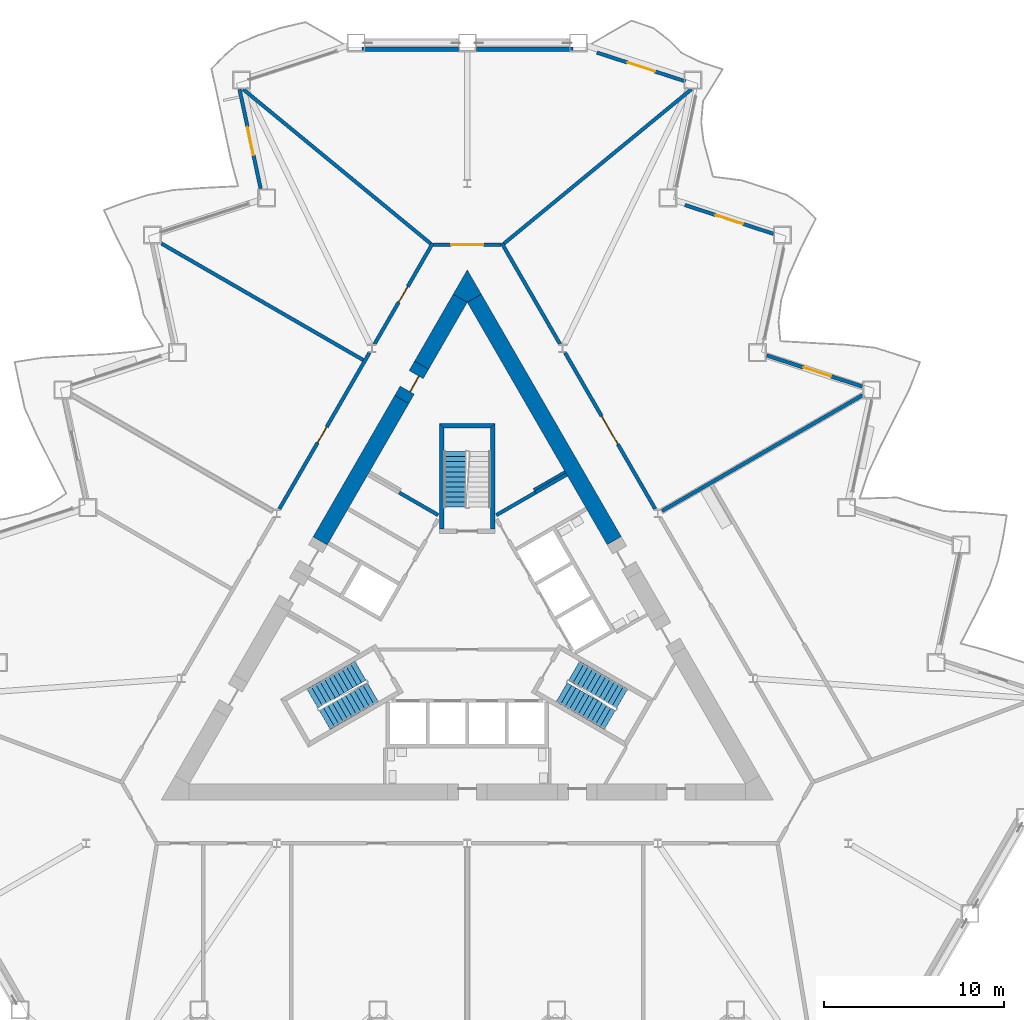
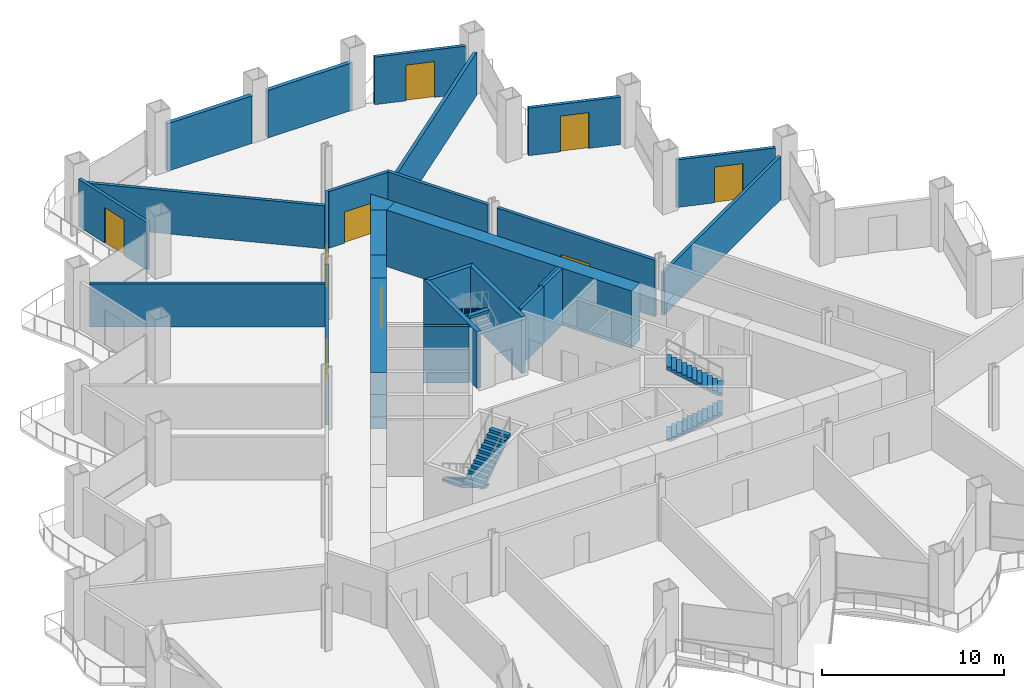
# One storey, part 12 of 20: 27 walls, 9 doors, 5 stair flights, 9 openings, 3 elements without a shape of their own.
"""IFC4 building model written with IfcOpenShell, lengths in metres."""

import ifcopenshell
import ifcopenshell.guid

model = None  # the IFC model being written
_history = None  # IfcOwnerHistory: only IFC2X3 demands one
_inside = {}  # id of a spatial element -> (the spatial element, [elements in it])
_under = {}  # id of a project, library or spatial element -> (it, [spatial elements below it])
_declared = {}  # id of a project -> (the project, [libraries it declares])
_typed = {}  # id of a type object -> (the type object, [elements of that type])
_made_of = {}  # id of a material, layer set ... -> (it, [elements and type objects made of it])


def new_model(schema):
    """Start an empty IFC model of exactly this schema.

    Asked for "IFC4X3", IfcOpenShell would pick the latest addendum, in which some entities
    have other attributes; the version numbers below select the first issue.
    IFC2X3 requires an IfcOwnerHistory on every rooted entity: one is made here for all.
    """
    global model, _history
    if schema == "IFC4X3":
        model = ifcopenshell.file(schema_version=(4, 3, 0, 0))
    else:
        model = ifcopenshell.file(schema=schema)
    _inside.clear()
    _under.clear()
    _declared.clear()
    _typed.clear()
    _made_of.clear()
    _history = None
    if model.schema == "IFC2X3":
        org = make("IfcOrganization", Name="unknown")
        user = make(
            "IfcPersonAndOrganization",
            ThePerson=make("IfcPerson", FamilyName="unknown"),
            TheOrganization=org,
        )
        app = make(
            "IfcApplication",
            ApplicationDeveloper=org,
            Version="unknown",
            ApplicationFullName="unknown",
            ApplicationIdentifier="unknown",
        )
        _history = make(
            "IfcOwnerHistory",
            OwningUser=user,
            OwningApplication=app,
            ChangeAction="ADDED",
            CreationDate=0,
        )
    return model


def make(cls, **values):
    """One entity of the class cls with the attributes given. An attribute that is None is left unset."""
    return model.create_entity(
        cls, **{name: value for name, value in values.items() if value is not None}
    )


def rooted(cls, **values):
    """An entity with a GlobalId (a new one), such as an element, a storey or a relation."""
    return make(cls, GlobalId=ifcopenshell.guid.new(), OwnerHistory=_history, **values)


def si_unit(unit_type, name, prefix=None):
    """IfcSIUnit, for example si_unit("LENGTHUNIT", "METRE", prefix="MILLI")."""
    return make("IfcSIUnit", UnitType=unit_type, Prefix=prefix, Name=name)


def assignment(units):
    """IfcUnitAssignment: the units of a project."""
    return None if units is None else make("IfcUnitAssignment", Units=units)


def point(xyz):
    """IfcCartesianPoint."""
    return None if xyz is None else make("IfcCartesianPoint", Coordinates=xyz)


def direction(xyz):
    """IfcDirection."""
    return None if xyz is None else make("IfcDirection", DirectionRatios=xyz)


def frame(location, z_axis=None, x_axis=None):
    """IfcAxis2Placement3D, a coordinate frame: its origin and axes. An axis left out is left unset."""
    return make(
        "IfcAxis2Placement3D",
        Location=point(location),
        Axis=direction(z_axis),
        RefDirection=direction(x_axis),
    )


def frame_2d(location, x_axis=None):
    """IfcAxis2Placement2D, a coordinate frame in the plane: its origin and x axis."""
    return make(
        "IfcAxis2Placement2D", Location=point(location), RefDirection=direction(x_axis)
    )


def origin():
    """The frame at (0, 0, 0) with its axes left unset."""
    return frame((0.0, 0.0, 0.0))


def place(relative_to, where):
    """IfcLocalPlacement: puts the frame where relative to a parent placement (None: the world)."""
    return make(
        "IfcLocalPlacement", PlacementRelTo=relative_to, RelativePlacement=where
    )


def context(
    kind, dimensions, precision=None, world=None, true_north=None, identifier=None
):
    """IfcGeometricRepresentationContext, for example the 3D "Model" context."""
    return make(
        "IfcGeometricRepresentationContext",
        ContextIdentifier=identifier,
        ContextType=kind,
        CoordinateSpaceDimension=dimensions,
        Precision=precision,
        WorldCoordinateSystem=world,
        TrueNorth=true_north,
    )


def subcontext(parent, identifier, kind, view, scale=None):
    """IfcGeometricRepresentationSubContext, for example "Body" below "Model"."""
    return make(
        "IfcGeometricRepresentationSubContext",
        ContextIdentifier=identifier,
        ContextType=kind,
        ParentContext=parent,
        TargetScale=scale,
        TargetView=view,
    )


def project(units=None, contexts=None):
    """IfcProject with its units and contexts."""
    return rooted(
        "IfcProject",
        Name="project",
        RepresentationContexts=contexts,
        UnitsInContext=assignment(units),
    )


def spatial(cls, under=None, at=None, **own):
    """A site, building, storey or space (cls), placed at a placement, below another one or the project."""
    s = rooted(cls, ObjectPlacement=at, **own)
    if under is not None:
        _under.setdefault(under.id(), (under, []))[1].append(s)
    return s


def polyline(points):
    """IfcPolyline through the points."""
    return make("IfcPolyline", Points=[point(p) for p in points])


def profile(cls, at=None, kind="AREA", **sizes):
    """A parametric profile (cls). Its sizes go by their IFC names, for example OverallWidth=200.0."""
    return make(cls, ProfileType=kind, Position=at, **sizes)


def rectangle(**sizes):
    """IfcRectangleProfileDef."""
    return profile("IfcRectangleProfileDef", **sizes)


def outline(outer, holes=None, kind="AREA"):
    """IfcArbitraryClosedProfileDef: a profile drawn as a closed curve; with holes, ...WithVoids."""
    if holes is None:
        return make("IfcArbitraryClosedProfileDef", ProfileType=kind, OuterCurve=outer)
    return make(
        "IfcArbitraryProfileDefWithVoids",
        ProfileType=kind,
        OuterCurve=outer,
        InnerCurves=holes,
    )


def extrude(swept, where, along, depth):
    """IfcExtrudedAreaSolid: the profile swept, set in the frame where, extruded along a direction by depth."""
    return make(
        "IfcExtrudedAreaSolid",
        SweptArea=swept,
        Position=where,
        ExtrudedDirection=direction(along),
        Depth=depth,
    )


def shape(context_of_items, identifier, shape_type, items):
    """IfcShapeRepresentation: the items that make up one representation, for example the "Body"."""
    return make(
        "IfcShapeRepresentation",
        ContextOfItems=context_of_items,
        RepresentationIdentifier=identifier,
        RepresentationType=shape_type,
        Items=items,
    )


def material(Name=None, Category=None):
    """IfcMaterial."""
    return make("IfcMaterial", Name=Name, Category=Category)


def layer(
    of_material, thickness, ventilated=None, Name=None, Category=None, Priority=None
):
    """IfcMaterialLayer: one layer of a wall or slab, of a material (None: an air gap)."""
    return make(
        "IfcMaterialLayer",
        Material=of_material,
        LayerThickness=thickness,
        IsVentilated=ventilated,
        Name=Name,
        Category=Category,
        Priority=Priority,
    )


def layer_set(layers, Name=None):
    """IfcMaterialLayerSet."""
    return make("IfcMaterialLayerSet", MaterialLayers=layers, LayerSetName=Name)


def made_of(thing, what):
    """Note that an element or type object is made of a material, layer set ...; save() writes the relation."""
    if what is not None:
        _made_of.setdefault(what.id(), (what, []))[1].append(thing)
    return thing


def type_object(cls, material=None, **own):
    """A type object (cls), such as IfcWallType, which elements share."""
    return made_of(rooted(cls, **own), material)


def element(
    cls,
    number,
    at=None,
    inside=None,
    cuts=None,
    type_object=None,
    material=None,
    context=None,
    identifier="Body",
    shape_type=None,
    held_by="IfcProductDefinitionShape",
    body=None,
    shapes=None,
    **own,
):
    """One element of the class cls, such as IfcWall. Its Tag is "e" and its number.

    at: its placement. inside: the storey or other place that contains it. cuts: it is an
    opening in that element (IfcRelVoidsElement). A single representation is given by context,
    identifier, shape_type and body (its items); several are given by shapes. held_by: the class
    of the entity that holds the representations. save() writes the other relations.
    """
    e = rooted(cls, Tag="e%d" % number, ObjectPlacement=at, **own)
    if body is not None:
        shapes = [shape(context, identifier, shape_type, body)]
    if shapes is not None:
        e.Representation = make(held_by, Representations=shapes)
    if inside is not None:
        _inside.setdefault(inside.id(), (inside, []))[1].append(e)
    if cuts is not None:
        rooted(
            "IfcRelVoidsElement", RelatingBuildingElement=cuts, RelatedOpeningElement=e
        )
    if type_object is not None:
        _typed.setdefault(type_object.id(), (type_object, []))[1].append(e)
    return made_of(e, material)


def fill(opening, filler):
    """IfcRelFillsElement: the door or window that sits in an opening."""
    return rooted(
        "IfcRelFillsElement",
        RelatingOpeningElement=opening,
        RelatedBuildingElement=filler,
    )


def aggregate(whole, parts):
    """IfcRelAggregates: a whole, such as a stair, and the parts it consists of."""
    return rooted("IfcRelAggregates", RelatingObject=whole, RelatedObjects=parts)


def save(model, path):
    """Write the relations noted so far, then the file.

    IfcRelAggregates (storeys below a building ...), IfcRelContainedInSpatialStructure (elements
    in a storey), IfcRelDefinesByType, IfcRelAssociatesMaterial and IfcRelDeclares: one each for
    every whole, place, type object, material and project.
    """
    for whole, parts in _under.values():
        aggregate(whole, parts)
    for where, things in _inside.values():
        rooted(
            "IfcRelContainedInSpatialStructure",
            RelatedElements=things,
            RelatingStructure=where,
        )
    for kind, things in _typed.values():
        rooted("IfcRelDefinesByType", RelatedObjects=things, RelatingType=kind)
    for what, things in _made_of.values():
        rooted("IfcRelAssociatesMaterial", RelatedObjects=things, RelatingMaterial=what)
    for by, libraries in _declared.values():
        rooted("IfcRelDeclares", RelatingContext=by, RelatedDefinitions=libraries)
    model.write(path)


model = new_model("IFC4")

# Units and contexts
model_context = context("Model", 3, precision=1e-05, world=origin(), true_north=direction((0.0, 1.0)))
body_context = subcontext(model_context, "Body", "Model", "MODEL_VIEW")
ifc_project = project(units=[si_unit("LENGTHUNIT", "METRE"), si_unit("AREAUNIT", "SQUARE_METRE"), si_unit("VOLUMEUNIT", "CUBIC_METRE"), si_unit("PLANEANGLEUNIT", "RADIAN"), si_unit("MASSUNIT", "GRAM", prefix="KILO")], contexts=[model_context])

# Site, building, storey
site_placement = place(None, origin())
site = spatial("IfcSite", under=ifc_project, at=site_placement, CompositionType="ELEMENT")
building_placement = place(site_placement, origin())
building = spatial("IfcBuilding", under=site, at=building_placement, Name="Cormorant Prow Tower", CompositionType="ELEMENT")
storey_placement = place(building_placement, frame((0.0, 0.0, 59.39990234375)))
storey = spatial("IfcBuildingStorey", under=building, at=storey_placement, Name="L12", CompositionType="ELEMENT", Elevation=59.39990234375)

# Walls
ifc_material_1 = material(Name="Gypsum board partition")
ifc_layer_1 = layer(ifc_material_1, 0.14990234375)
ifc_layer_set_1 = layer_set([ifc_layer_1], Name="Gypsum board partition")
wall_type_1 = type_object("IfcWallType", Name="Core partition 150", PredefinedType="PARTITIONING", material=ifc_layer_set_1)
wall_1_placement = place(storey_placement, frame((3.693359375, 7.4150390625, 0.0), z_axis=(0.0, 0.0, 1.0), x_axis=(0.866035824272, 0.499981950752, 0.0)))
element("IfcWall", 1, at=wall_1_placement, inside=storey, type_object=wall_type_1, Name="Service room partition", PredefinedType="PARTITIONING", context=body_context, shape_type="SweptSolid", body=[
    extrude(rectangle(XDim=2.0087890625, YDim=0.14990234375, at=frame_2d((1.00439453125, 0.0))), origin(), (0.0, 0.0, 1.0), 3.800048828125),
])
ifc_material_2 = material(Name="Concrete 8000 psi", Category="concrete")
ifc_layer_2 = layer(ifc_material_2, 0.89990234375)
ifc_layer_set_2 = layer_set([ifc_layer_2], Name="Concrete 8000 psi")
wall_type_2 = type_object("IfcWallType", Name="Core shear wall 900", PredefinedType="SHEAR", material=ifc_layer_set_2)
wall_2_placement = place(storey_placement, frame((8.160400390625, 4.595947265625, 0.0), z_axis=(0.0, 0.0, 1.0), x_axis=(-0.500009830349, 0.866019728156, 0.0)))
element("IfcWall", 2, at=wall_2_placement, inside=storey, type_object=wall_type_2, Name="Core wall", PredefinedType="SHEAR", context=body_context, shape_type="SweptSolid", body=[
    extrude(rectangle(XDim=15.541259765625, YDim=0.89990234375, at=frame_2d((7.7705078125, 0.0))), origin(), (0.0, 0.0, 1.0), 3.800048828125),
])
wall_3_placement = place(storey_placement, frame((-3.637451171875, 12.4296875, 0.0), z_axis=(0.0, 0.0, 1.0), x_axis=(-0.500011513458, -0.866018756384, 0.0)))
element("IfcWall", 3, at=wall_3_placement, inside=storey, type_object=wall_type_2, Name="Core wall", PredefinedType="SHEAR", context=body_context, shape_type="SweptSolid", body=[
    extrude(rectangle(XDim=9.065673828125, YDim=0.89990234375, at=frame_2d((4.53271484375, 0.0))), origin(), (0.0, 0.0, 1.0), 3.800048828125),
])
wall_4_placement = place(storey_placement, frame((-0.3896484375, 18.054931640625, 0.0), z_axis=(0.0, 0.0, 1.0), x_axis=(-0.500014347272, -0.866017120224, 0.0)))
element("IfcWall", 4, at=wall_4_placement, inside=storey, type_object=wall_type_2, Name="Core wall", PredefinedType="SHEAR", context=body_context, shape_type="SweptSolid", body=[
    extrude(rectangle(XDim=4.295654296875, YDim=0.89990234375, at=frame_2d((2.14794921875, 0.0))), origin(), (0.0, 0.0, 1.0), 3.800048828125),
])
wall_5_placement = place(storey_placement, origin())
element("IfcWall", 5, at=wall_5_placement, inside=storey, type_object=wall_type_2, Name="Core wall corner", PredefinedType="SHEAR", context=body_context, shape_type="SweptSolid", body=[
    extrude(outline(polyline([(-0.779296875, 18.27978515625), (0.0, 19.6298828125), (0.779296875, 18.27978515625), (0.0, 17.829833984375), (-0.779296875, 18.27978515625)])), origin(), (0.0, 0.0, 1.0), 3.800048828125),
])

# Wall, opening, door
wall_6_placement = place(storey_placement, frame((-2.53759765625, 14.334716796875, 0.0), z_axis=(0.0, 0.0, 1.0), x_axis=(-0.499994660107, -0.866028486751, 0.0)))
wall_6 = element("IfcWall", 6, at=wall_6_placement, inside=storey, type_object=wall_type_2, Name="Core wall door panel", PredefinedType="SHEAR", context=body_context, shape_type="SweptSolid", body=[
    extrude(rectangle(XDim=2.19970703125, YDim=0.89990234375, at=frame_2d((1.099853515625, 0.0))), origin(), (0.0, 0.0, 1.0), 3.800048828125),
])
opening_1_placement = place(wall_6_placement, frame((0.60009765625, 0.0, 0.0)))
opening_1 = element("IfcOpeningElement", 7, at=opening_1_placement, cuts=wall_6, Name="Opening L12-C20", PredefinedType="OPENING", context=body_context, shape_type="SweptSolid", body=[
    extrude(rectangle(XDim=1.0, YDim=2.10009765625, at=frame_2d((0.5, 1.050048828125))), frame((0.0, 0.4599609375, 0.0), z_axis=(0.0, -1.0, 0.0), x_axis=(1.0, 0.0, 0.0)), (0.0, 0.0, 1.0), 0.919921875),
])
ifc_material_3 = material(Name="Painted steel", Category="steel")
door_type_1 = type_object("IfcDoorType", Name="Service door 1000x2100", OperationType="NOTDEFINED", PredefinedType="DOOR", material=ifc_material_3)
door_1_placement = place(opening_1_placement, origin())
door_1 = element("IfcDoor", 8, at=door_1_placement, inside=storey, type_object=door_type_1, Name="Core door, Telecom room", OperationType="SINGLE_SWING_LEFT", OverallHeight=2.10009765625, OverallWidth=1.0, PredefinedType="DOOR", context=body_context, shape_type="SweptSolid", body=[
    extrude(rectangle(XDim=1.0, YDim=2.10009765625, at=frame_2d((0.5, 1.050048828125))), frame((0.0, 0.205078125, 0.0), z_axis=(0.0, -1.0, 0.0), x_axis=(1.0, 0.0, 0.0)), (0.0, 0.0, 1.0), 0.050048828125),
])
fill(opening_1, door_1)

ifc_material_4 = material(Name="Gypsum board corridor wall")
ifc_layer_3 = layer(ifc_material_4, 0.199951171875)
ifc_layer_set_3 = layer_set([ifc_layer_3], Name="Gypsum board corridor wall")
wall_type_3 = type_object("IfcWallType", Name="Corridor wall 200", PredefinedType="PARTITIONING", material=ifc_layer_set_3)
wall_7_placement = place(storey_placement, frame((5.42919921875, 15.0263671875, 0.0), z_axis=(0.0, 0.0, 1.0), x_axis=(0.50001002959, -0.86601961312, 0.0)))
wall_7 = element("IfcWall", 9, at=wall_7_placement, inside=storey, type_object=wall_type_3, Name="Corridor wall", PredefinedType="PARTITIONING", context=body_context, shape_type="SweptSolid", body=[
    extrude(rectangle(XDim=10.018798828125, YDim=0.199951171875, at=frame_2d((5.00927734375, 0.0))), origin(), (0.0, 0.0, 1.0), 3.800048828125),
])
opening_2_placement = place(wall_7_placement, frame((4.059326171875, 0.0, 0.0)))
opening_2 = element("IfcOpeningElement", 10, at=opening_2_placement, cuts=wall_7, Name="Opening L12-F09", PredefinedType="OPENING", context=body_context, shape_type="SweptSolid", body=[
    extrude(rectangle(XDim=1.800048828125, YDim=2.10009765625, at=frame_2d((0.89990234375, 1.050048828125))), frame((0.0, 0.10986328125, 0.0), z_axis=(0.0, -1.0, 0.0), x_axis=(1.0, 0.0, 0.0)), (0.0, 0.0, 1.0), 0.219970703125),
])
ifc_material_5 = material(Name="Timber door leaf", Category="wood")
door_type_2 = type_object("IfcDoorType", Name="Double door 1800x2100", OperationType="DOUBLE_DOOR_SINGLE_SWING", PredefinedType="DOOR", material=ifc_material_5)
door_2_placement = place(opening_2_placement, origin())
door_2 = element("IfcDoor", 11, at=door_2_placement, inside=storey, type_object=door_type_2, Name="Trading room door", OperationType="DOUBLE_DOOR_SINGLE_SWING", OverallHeight=2.10009765625, OverallWidth=1.800048828125, PredefinedType="DOOR", context=body_context, shape_type="SweptSolid", body=[
    extrude(rectangle(XDim=1.800048828125, YDim=2.10009765625, at=frame_2d((0.89990234375, 1.050048828125))), frame((0.0, 0.02490234375, 0.0), z_axis=(0.0, -1.0, 0.0), x_axis=(1.0, 0.0, 0.0)), (0.0, 0.0, 1.0), 0.050048828125),
])
fill(opening_2, door_2)

wall_8_placement = place(storey_placement, frame((-10.438720703125, 6.349853515625, 0.0), z_axis=(0.0, 0.0, 1.0), x_axis=(0.50001002959, 0.86601961312, 0.0)))
wall_8 = element("IfcWall", 12, at=wall_8_placement, inside=storey, type_object=wall_type_3, Name="Corridor wall", PredefinedType="PARTITIONING", context=body_context, shape_type="SweptSolid", body=[
    extrude(rectangle(XDim=10.018798828125, YDim=0.199951171875, at=frame_2d((5.00927734375, 0.0))), origin(), (0.0, 0.0, 1.0), 3.800048828125),
])
opening_3_placement = place(wall_8_placement, frame((4.2587890625, 0.0, 0.0)))
opening_3 = element("IfcOpeningElement", 13, at=opening_3_placement, cuts=wall_8, Name="Opening L12-F12", PredefinedType="OPENING", context=body_context, shape_type="SweptSolid", body=[
    extrude(rectangle(XDim=1.0, YDim=2.10009765625, at=frame_2d((0.5, 1.050048828125))), frame((0.0, 0.10986328125, 0.0), z_axis=(0.0, -1.0, 0.0), x_axis=(1.0, 0.0, 0.0)), (0.0, 0.0, 1.0), 0.219970703125),
])
ifc_material_6 = material(Name="Timber door leaf", Category="wood")
door_type_3 = type_object("IfcDoorType", Name="Office door 1000x2100", OperationType="NOTDEFINED", PredefinedType="DOOR", material=ifc_material_6)
door_3_placement = place(opening_3_placement, origin())
door_3 = element("IfcDoor", 14, at=door_3_placement, inside=storey, type_object=door_type_3, Name="Co-working room door", OperationType="SINGLE_SWING_LEFT", OverallHeight=2.10009765625, OverallWidth=1.0, PredefinedType="DOOR", context=body_context, shape_type="SweptSolid", body=[
    extrude(rectangle(XDim=1.0, YDim=2.10009765625, at=frame_2d((0.5, 1.050048828125))), frame((0.0, 0.02490234375, 0.0), z_axis=(0.0, -1.0, 0.0), x_axis=(1.0, 0.0, 0.0)), (0.0, 0.0, 1.0), 0.050048828125),
])
fill(opening_3, door_3)

# Wall
wall_9_placement = place(storey_placement, frame((1.9130859375, 21.116455078125, 0.0), z_axis=(0.0, 0.0, 1.0), x_axis=(0.500001069878, -0.866024786089, 0.0)))
element("IfcWall", 15, at=wall_9_placement, inside=storey, type_object=wall_type_3, Name="Corridor wall", PredefinedType="PARTITIONING", context=body_context, shape_type="SweptSolid", body=[
    extrude(rectangle(XDim=6.47265625, YDim=0.199951171875, at=frame_2d((3.236328125, 0.0))), origin(), (0.0, 0.0, 1.0), 3.800048828125),
])

# Wall, opening, door
wall_10_placement = place(storey_placement, frame((-5.1494140625, 15.510986328125, 0.0), z_axis=(0.0, 0.0, 1.0), x_axis=(0.500001069878, 0.866024786089, 0.0)))
wall_10 = element("IfcWall", 16, at=wall_10_placement, inside=storey, type_object=wall_type_3, Name="Corridor wall", PredefinedType="PARTITIONING", context=body_context, shape_type="SweptSolid", body=[
    extrude(rectangle(XDim=6.47265625, YDim=0.199951171875, at=frame_2d((3.236328125, 0.0))), origin(), (0.0, 0.0, 1.0), 3.800048828125),
])
opening_4_placement = place(wall_10_placement, frame((2.685546875, 0.0, 0.0)))
opening_4 = element("IfcOpeningElement", 17, at=opening_4_placement, cuts=wall_10, Name="Opening L12-F11", PredefinedType="OPENING", context=body_context, shape_type="SweptSolid", body=[
    extrude(rectangle(XDim=1.0, YDim=2.10009765625, at=frame_2d((0.5, 1.050048828125))), frame((0.0, 0.10986328125, 0.0), z_axis=(0.0, -1.0, 0.0), x_axis=(1.0, 0.0, 0.0)), (0.0, 0.0, 1.0), 0.219970703125),
])
door_4_placement = place(opening_4_placement, origin())
door_4 = element("IfcDoor", 18, at=door_4_placement, inside=storey, type_object=door_type_3, Name="Tenant suite door", OperationType="SINGLE_SWING_LEFT", OverallHeight=2.10009765625, OverallWidth=1.0, PredefinedType="DOOR", context=body_context, shape_type="SweptSolid", body=[
    extrude(rectangle(XDim=1.0, YDim=2.10009765625, at=frame_2d((0.5, 1.050048828125))), frame((0.0, 0.02490234375, 0.0), z_axis=(0.0, -1.0, 0.0), x_axis=(1.0, 0.0, 0.0)), (0.0, 0.0, 1.0), 0.050048828125),
])
fill(opening_4, door_4)

wall_11_placement = place(storey_placement, frame((-1.863037109375, 21.02978515625, 0.0), z_axis=(0.0, 0.0, 1.0), x_axis=(1.0, 0.0, 0.0)))
wall_11 = element("IfcWall", 19, at=wall_11_placement, inside=storey, type_object=wall_type_3, Name="Corridor wall", PredefinedType="PARTITIONING", context=body_context, shape_type="SweptSolid", body=[
    extrude(rectangle(XDim=3.72607421875, YDim=0.199951171875, at=frame_2d((1.863037109375, 0.0))), origin(), (0.0, 0.0, 1.0), 3.800048828125),
])
opening_5_placement = place(wall_11_placement, frame((0.962890625, 0.0, 0.0)))
opening_5 = element("IfcOpeningElement", 20, at=opening_5_placement, cuts=wall_11, Name="Opening L12-F10", PredefinedType="OPENING", context=body_context, shape_type="SweptSolid", body=[
    extrude(rectangle(XDim=1.800048828125, YDim=2.10009765625, at=frame_2d((0.89990234375, 1.050048828125))), frame((0.0, 0.10986328125, 0.0), z_axis=(0.0, -1.0, 0.0), x_axis=(1.0, 0.0, 0.0)), (0.0, 0.0, 1.0), 0.219970703125),
])
door_5_placement = place(opening_5_placement, origin())
door_5 = element("IfcDoor", 21, at=door_5_placement, inside=storey, type_object=door_type_2, Name="Open-plan office door", OperationType="DOUBLE_DOOR_SINGLE_SWING", OverallHeight=2.10009765625, OverallWidth=1.800048828125, PredefinedType="DOOR", context=body_context, shape_type="SweptSolid", body=[
    extrude(rectangle(XDim=1.800048828125, YDim=2.10009765625, at=frame_2d((0.89990234375, 1.050048828125))), frame((0.0, 0.02490234375, 0.0), z_axis=(0.0, -1.0, 0.0), x_axis=(1.0, 0.0, 0.0)), (0.0, 0.0, 1.0), 0.050048828125),
])
fill(opening_5, door_5)

# Walls
ifc_material_7 = material(Name="Gypsum board demising wall")
ifc_layer_4 = layer(ifc_material_7, 0.199951171875)
ifc_layer_set_4 = layer_set([ifc_layer_4], Name="Gypsum board demising wall")
wall_type_4 = type_object("IfcWallType", Name="Demising wall 200", PredefinedType="PARTITIONING", material=ifc_layer_set_4)
for number, where, z_axis, x_axis, name in (
    (22, (2.040283203125, 21.093505859375, 0.0), (0.0, 0.0, 1.0), (0.772048928551, 0.635563098302, 0.0), "Demising wall"),
    (23, (-12.44482421875, 29.65869140625, 0.0), (0.0, 0.0, 1.0), (0.772048928551, -0.635563098302, 0.0), "Demising wall"),
):
    element("IfcWall", number, at=place(storey_placement, frame(where, z_axis=z_axis, x_axis=x_axis)), inside=storey, type_object=wall_type_4, Name=name, PredefinedType="PARTITIONING", context=body_context, shape_type="SweptSolid", body=[
        extrude(rectangle(XDim=13.4765625, YDim=0.199951171875, at=frame_2d((6.73828125, 0.0))), origin(), (0.0, 0.0, 1.0), 2.885498046875),
    ])
wall_12_placement = place(storey_placement, frame((-16.981201171875, 21.091796875, 0.0), z_axis=(0.0, 0.0, 1.0), x_axis=(0.866026884493, -0.499997435328, 0.0)))
element("IfcWall", 24, at=wall_12_placement, inside=storey, type_object=wall_type_4, Name="Demising wall", PredefinedType="PARTITIONING", context=body_context, shape_type="SweptSolid", body=[
    extrude(rectangle(XDim=12.93701171875, YDim=0.199951171875, at=frame_2d((6.468505859375, 0.0))), origin(), (0.0, 0.0, 1.0), 2.885498046875),
])
wall_13_placement = place(storey_placement, frame((10.82080078125, 6.247314453125, 0.0), z_axis=(0.0, 0.0, 1.0), x_axis=(0.866026729935, 0.499997703033, 0.0)))
element("IfcWall", 25, at=wall_13_placement, inside=storey, type_object=wall_type_4, Name="Demising wall", PredefinedType="PARTITIONING", context=body_context, shape_type="SweptSolid", body=[
    extrude(rectangle(XDim=12.84765625, YDim=0.199951171875, at=frame_2d((6.423828125, 0.0))), origin(), (0.0, 0.0, 1.0), 2.885498046875),
])
ifc_material_8 = material(Name="Concrete 8000 psi", Category="concrete")
ifc_layer_5 = layer(ifc_material_8, 0.199951171875)
ifc_layer_set_5 = layer_set([ifc_layer_5], Name="Concrete 8000 psi")
wall_type_5 = type_object("IfcWallType", Name="Lift shaft wall 200", PredefinedType="SHEAR", material=ifc_layer_set_5)
wall_14_placement = place(storey_placement, origin())
element("IfcWall", 26, at=wall_14_placement, inside=storey, type_object=wall_type_5, Name="Lift shaft walls, ENE block", PredefinedType="SHEAR", context=body_context, shape_type="SweptSolid", body=[
    extrude(outline(polyline([(1.560546875, 6.09716796875), (3.730712890625, 7.35009765625), (3.830810546875, 7.177001953125), (1.660400390625, 5.923828125), (1.560546875, 6.09716796875)])), origin(), (0.0, 0.0, 1.0), 3.800048828125),
])
wall_15_placement = place(storey_placement, frame((3.78076171875, 7.263427734375, 0.0), z_axis=(0.0, 0.0, 1.0), x_axis=(0.865983199114, 0.50007309351, 0.0)))
element("IfcWall", 27, at=wall_15_placement, inside=storey, type_object=wall_type_5, Name="Store side wall", PredefinedType="SHEAR", context=body_context, shape_type="SweptSolid", body=[
    extrude(rectangle(XDim=2.009033203125, YDim=0.199951171875, at=frame_2d((1.00439453125, 0.0))), origin(), (0.0, 0.0, 1.0), 3.800048828125),
])
wall_16_placement = place(storey_placement, origin())
element("IfcWall", 28, at=wall_16_placement, inside=storey, type_object=wall_type_5, Name="Lift shaft walls, WNW block", PredefinedType="SHEAR", context=body_context, shape_type="SweptSolid", body=[
    extrude(outline(polyline([(-3.730712890625, 7.35009765625), (-1.560546875, 6.09716796875), (-1.660400390625, 5.923828125), (-3.830810546875, 7.177001953125), (-3.730712890625, 7.35009765625)])), origin(), (0.0, 0.0, 1.0), 3.800048828125),
])
ifc_material_9 = material(Name="Concrete 8000 psi", Category="concrete")
ifc_layer_6 = layer(ifc_material_9, 0.25)
ifc_layer_set_6 = layer_set([ifc_layer_6], Name="Concrete 8000 psi")
wall_type_6 = type_object("IfcWallType", Name="Stair wall 250", PredefinedType="SHEAR", material=ifc_layer_set_6)
wall_17_placement = place(storey_placement, origin())
element("IfcWall", 29, at=wall_17_placement, inside=storey, type_object=wall_type_6, Name="Stair ST3 enclosure wall (flank)", PredefinedType="SHEAR", context=body_context, shape_type="SweptSolid", body=[
    extrude(outline(polyline([(1.5439453125, 5.23681640625), (1.5439453125, 11.0869140625), (1.2939453125, 10.8369140625), (1.2939453125, 5.23681640625), (1.5439453125, 5.23681640625)])), origin(), (0.0, 0.0, 1.0), 3.800048828125),
])
wall_18_placement = place(storey_placement, origin())
element("IfcWall", 30, at=wall_18_placement, inside=storey, type_object=wall_type_6, Name="Stair ST3 enclosure wall (end)", PredefinedType="SHEAR", context=body_context, shape_type="SweptSolid", body=[
    extrude(outline(polyline([(1.5439453125, 11.0869140625), (-1.5439453125, 11.0869140625), (-1.2939453125, 10.8369140625), (1.2939453125, 10.8369140625), (1.5439453125, 11.0869140625)])), origin(), (0.0, 0.0, 1.0), 3.800048828125),
])
wall_19_placement = place(storey_placement, origin())
element("IfcWall", 31, at=wall_19_placement, inside=storey, type_object=wall_type_6, Name="Stair ST3 enclosure wall (flank)", PredefinedType="SHEAR", context=body_context, shape_type="SweptSolid", body=[
    extrude(outline(polyline([(-1.2939453125, 10.8369140625), (-1.5439453125, 11.0869140625), (-1.5439453125, 5.23681640625), (-1.2939453125, 5.23681640625), (-1.2939453125, 10.8369140625)])), origin(), (0.0, 0.0, 1.0), 3.800048828125),
])
ifc_material_10 = material(Name="Terracotta", Category="masonry")
ifc_layer_7 = layer(ifc_material_10, 0.25)
ifc_layer_set_7 = layer_set([ifc_layer_7], Name="Terracotta")
wall_type_7 = type_object("IfcWallType", Name="Terracotta bay wall 250", PredefinedType="SOLIDWALL", material=ifc_layer_set_7)
for number, where, z_axis, x_axis, name in (
    (32, (5.858154296875, 31.882568359375, 0.0), (0.0, 0.0, 1.0), (-1.0, 0.0, 0.0), "Terracotta bay wall N00"),
    (33, (-0.5, 31.882568359375, 0.0), (0.0, 0.0, 1.0), (-1.0, 0.0, 0.0), "Terracotta bay wall N01"),
):
    element("IfcWall", number, at=place(storey_placement, frame(where, z_axis=z_axis, x_axis=x_axis)), inside=storey, type_object=wall_type_7, Name=name, PredefinedType="SOLIDWALL", context=body_context, shape_type="SweptSolid", body=[
        extrude(rectangle(XDim=5.358154296875, YDim=0.25, at=frame_2d((2.67919921875, 0.0))), origin(), (0.0, 0.0, 1.0), 3.18896484375),
    ])

# Wall, opening, door
ifc_material_11 = material(Name="Terracotta", Category="masonry")
ifc_layer_8 = layer(ifc_material_11, 0.199951171875)
ifc_layer_set_8 = layer_set([ifc_layer_8], Name="Terracotta")
wall_type_8 = type_object("IfcWallType", Name="Terracotta jamb wall 200", PredefinedType="SOLIDWALL", material=ifc_layer_set_8)
wall_20_placement = place(storey_placement, frame((21.9326171875, 13.152587890625, 0.0), z_axis=(0.0, 0.0, 1.0), x_axis=(-0.951066864375, 0.308985144444, 0.0)))
wall_20 = element("IfcWall", 34, at=wall_20_placement, inside=storey, type_object=wall_type_8, Name="Terracotta jamb wall ENE05", PredefinedType="SOLIDWALL", context=body_context, shape_type="SweptSolid", body=[
    extrude(rectangle(XDim=5.5791015625, YDim=0.199951171875, at=frame_2d((2.78955078125, 0.0))), origin(), (0.0, 0.0, 1.0), 3.18896484375),
])
opening_6_placement = place(wall_20_placement, frame((1.82763671875, 0.0, 0.0)))
opening_6 = element("IfcOpeningElement", 35, at=opening_6_placement, cuts=wall_20, Name="Opening ED12.08", PredefinedType="OPENING", context=body_context, shape_type="SweptSolid", body=[
    extrude(rectangle(XDim=1.60009765625, YDim=2.39990234375, at=frame_2d((0.800048828125, 1.199951171875))), frame((0.0, 0.10986328125, 0.0), z_axis=(0.0, -1.0, 0.0), x_axis=(1.0, 0.0, 0.0)), (0.0, 0.0, 1.0), 0.219970703125),
])
ifc_material_12 = material(Name="Aluminium 6063-T6", Category="aluminium")
door_type_4 = type_object("IfcDoorType", Name="Balcony door 1600x2400", OperationType="DOUBLE_DOOR_SINGLE_SWING", PredefinedType="DOOR", material=ifc_material_12)
door_6_placement = place(opening_6_placement, origin())
door_6 = element("IfcDoor", 36, at=door_6_placement, inside=storey, type_object=door_type_4, Name="Balcony door ENE05 ED12.08", OperationType="DOUBLE_DOOR_SINGLE_SWING", OverallHeight=2.39990234375, OverallWidth=1.60009765625, PredefinedType="DOOR", context=body_context, shape_type="SweptSolid", body=[
    extrude(rectangle(XDim=1.60009765625, YDim=2.39990234375, at=frame_2d((0.800048828125, 1.199951171875))), frame((0.0, 0.02490234375, 0.0), z_axis=(0.0, -1.0, 0.0), x_axis=(1.0, 0.0, 0.0)), (0.0, 0.0, 1.0), 0.050048828125),
])
fill(opening_6, door_6)

wall_21_placement = place(storey_placement, frame((17.004638671875, 21.63134765625, 0.0), z_axis=(0.0, 0.0, 1.0), x_axis=(-0.951045170621, 0.309051910588, 0.0)))
wall_21 = element("IfcWall", 37, at=wall_21_placement, inside=storey, type_object=wall_type_8, Name="Terracotta jamb wall ENE07", PredefinedType="SOLIDWALL", context=body_context, shape_type="SweptSolid", body=[
    extrude(rectangle(XDim=5.171142578125, YDim=0.199951171875, at=frame_2d((2.58544921875, 0.0))), origin(), (0.0, 0.0, 1.0), 3.18896484375),
])
opening_7_placement = place(wall_21_placement, frame((1.78564453125, 0.0, 0.0)))
opening_7 = element("IfcOpeningElement", 38, at=opening_7_placement, cuts=wall_21, Name="Opening ED12.09", PredefinedType="OPENING", context=body_context, shape_type="SweptSolid", body=[
    extrude(rectangle(XDim=1.60009765625, YDim=2.39990234375, at=frame_2d((0.800048828125, 1.199951171875))), frame((0.0, 0.10986328125, 0.0), z_axis=(0.0, -1.0, 0.0), x_axis=(1.0, 0.0, 0.0)), (0.0, 0.0, 1.0), 0.219970703125),
])
door_7_placement = place(opening_7_placement, origin())
door_7 = element("IfcDoor", 39, at=door_7_placement, inside=storey, type_object=door_type_4, Name="Balcony door ENE07 ED12.09", OperationType="DOUBLE_DOOR_SINGLE_SWING", OverallHeight=2.39990234375, OverallWidth=1.60009765625, PredefinedType="DOOR", context=body_context, shape_type="SweptSolid", body=[
    extrude(rectangle(XDim=1.60009765625, YDim=2.39990234375, at=frame_2d((0.800048828125, 1.199951171875))), frame((0.0, 0.02490234375, 0.0), z_axis=(0.0, -1.0, 0.0), x_axis=(1.0, 0.0, 0.0)), (0.0, 0.0, 1.0), 0.050048828125),
])
fill(opening_7, door_7)

wall_22_placement = place(storey_placement, frame((12.116943359375, 30.097412109375, 0.0), z_axis=(0.0, 0.0, 1.0), x_axis=(-0.951063554534, 0.308995332064, 0.0)))
wall_22 = element("IfcWall", 40, at=wall_22_placement, inside=storey, type_object=wall_type_8, Name="Terracotta jamb wall ENE09", PredefinedType="SOLIDWALL", context=body_context, shape_type="SweptSolid", body=[
    extrude(rectangle(XDim=5.17138671875, YDim=0.199951171875, at=frame_2d((2.585693359375, 0.0))), origin(), (0.0, 0.0, 1.0), 3.18896484375),
])
opening_8_placement = place(wall_22_placement, frame((1.78564453125, 0.0, 0.0)))
opening_8 = element("IfcOpeningElement", 41, at=opening_8_placement, cuts=wall_22, Name="Opening ED12.10", PredefinedType="OPENING", context=body_context, shape_type="SweptSolid", body=[
    extrude(rectangle(XDim=1.60009765625, YDim=2.39990234375, at=frame_2d((0.800048828125, 1.199951171875))), frame((0.0, 0.10986328125, 0.0), z_axis=(0.0, -1.0, 0.0), x_axis=(1.0, 0.0, 0.0)), (0.0, 0.0, 1.0), 0.219970703125),
])
door_8_placement = place(opening_8_placement, origin())
door_8 = element("IfcDoor", 42, at=door_8_placement, inside=storey, type_object=door_type_4, Name="Balcony door ENE09 ED12.10", OperationType="DOUBLE_DOOR_SINGLE_SWING", OverallHeight=2.39990234375, OverallWidth=1.60009765625, PredefinedType="DOOR", context=body_context, shape_type="SweptSolid", body=[
    extrude(rectangle(XDim=1.60009765625, YDim=2.39990234375, at=frame_2d((0.800048828125, 1.199951171875))), frame((0.0, 0.02490234375, 0.0), z_axis=(0.0, -1.0, 0.0), x_axis=(1.0, 0.0, 0.0)), (0.0, 0.0, 1.0), 0.050048828125),
])
fill(opening_8, door_8)

wall_23_placement = place(storey_placement, frame((-12.6455078125, 29.652099609375, 0.0), z_axis=(0.0, 0.0, 1.0), x_axis=(0.207901831982, -0.978149696242, 0.0)))
wall_23 = element("IfcWall", 43, at=wall_23_placement, inside=storey, type_object=wall_type_8, Name="Terracotta jamb wall WNW01", PredefinedType="SOLIDWALL", context=body_context, shape_type="SweptSolid", body=[
    extrude(rectangle(XDim=5.626220703125, YDim=0.199951171875, at=frame_2d((2.81298828125, 0.0))), origin(), (0.0, 0.0, 1.0), 3.18896484375),
])
opening_9_placement = place(wall_23_placement, frame((2.136962890625, 0.0, 0.0)))
opening_9 = element("IfcOpeningElement", 44, at=opening_9_placement, cuts=wall_23, Name="Opening ED12.11", PredefinedType="OPENING", context=body_context, shape_type="SweptSolid", body=[
    extrude(rectangle(XDim=1.60009765625, YDim=2.39990234375, at=frame_2d((0.800048828125, 1.199951171875))), frame((0.0, 0.10986328125, 0.0), z_axis=(0.0, -1.0, 0.0), x_axis=(1.0, 0.0, 0.0)), (0.0, 0.0, 1.0), 0.219970703125),
])
door_9_placement = place(opening_9_placement, origin())
door_9 = element("IfcDoor", 45, at=door_9_placement, inside=storey, type_object=door_type_4, Name="Balcony door WNW01 ED12.11", OperationType="DOUBLE_DOOR_SINGLE_SWING", OverallHeight=2.39990234375, OverallWidth=1.60009765625, PredefinedType="DOOR", context=body_context, shape_type="SweptSolid", body=[
    extrude(rectangle(XDim=1.60009765625, YDim=2.39990234375, at=frame_2d((0.800048828125, 1.199951171875))), frame((0.0, 0.02490234375, 0.0), z_axis=(0.0, -1.0, 0.0), x_axis=(1.0, 0.0, 0.0)), (0.0, 0.0, 1.0), 0.050048828125),
])
fill(opening_9, door_9)

# Stair, stair flights
ifc_material_13 = material(Name="Exit stair 24 risers")
stair_type = type_object("IfcStairType", Name="Exit stair 24 risers", PredefinedType="HALF_TURN_STAIR", material=ifc_material_13)
stair_1_placement = place(storey_placement, origin())
stair_1 = element("IfcStair", 46, at=stair_1_placement, inside=storey, type_object=stair_type, Name="L12 Exit stair ST1", PredefinedType="HALF_TURN_STAIR")
ifc_material_14 = material(Name="Concrete 5000 psi", Category="concrete")
stair_flight_type = type_object("IfcStairFlightType", Name="Stair flight 1219", PredefinedType="STRAIGHT", material=ifc_material_14)
stair_flight_1_placement = place(storey_placement, frame((-5.93310546875, -2.635009765625, 0.0), z_axis=(0.0, 0.0, 1.0), x_axis=(-0.866025403784, -0.5, 0.0)))
stair_flight_1 = element("IfcStairFlight", 47, at=stair_flight_1_placement, type_object=stair_flight_type, Name="ST1 flight 1", NumberOfRisers=12, NumberOfTreads=11, PredefinedType="STRAIGHT", RiserHeight=0.175, TreadLength=0.28, context=body_context, shape_type="SweptSolid", body=[
    extrude(outline(polyline([(0.0, 0.0), (0.0, 0.175048828125), (0.280029296875, 0.175048828125), (0.280029296875, 0.35009765625), (0.56005859375, 0.35009765625), (0.56005859375, 0.52490234375), (0.840087890625, 0.52490234375), (0.840087890625, 0.699951171875), (1.1201171875, 0.699951171875), (1.1201171875, 0.875), (1.39990234375, 0.875), (1.39990234375, 1.050048828125), (1.679931640625, 1.050048828125), (1.679931640625, 1.22509765625), (1.9599609375, 1.22509765625), (1.9599609375, 1.39990234375), (2.239990234375, 1.39990234375), (2.239990234375, 1.574951171875), (2.52001953125, 1.574951171875), (2.52001953125, 1.75), (2.800048828125, 1.75), (2.800048828125, 1.925048828125), (3.080078125, 1.925048828125), (3.080078125, 2.10009765625), (3.080078125, 1.748291015625), (0.28271484375, 0.0), (0.0, 0.0)])), frame((0.0, 0.609375, 0.0), z_axis=(0.0, -1.0, 0.0), x_axis=(1.0, 0.0, 0.0)), (0.0, 0.0, 1.0), 1.218994140625),
])
stair_flight_2_placement = place(storey_placement, frame((-7.916015625, -5.360595703125, 2.10009765625), z_axis=(0.0, 0.0, 1.0), x_axis=(0.866025403784, 0.5, 0.0)))
stair_flight_2 = element("IfcStairFlight", 48, at=stair_flight_2_placement, type_object=stair_flight_type, Name="ST1 flight 2", NumberOfRisers=12, NumberOfTreads=11, PredefinedType="STRAIGHT", RiserHeight=0.175, TreadLength=0.28, context=body_context, shape_type="SweptSolid", body=[
    extrude(outline(polyline([(0.0, 0.0), (0.0, 0.175048828125), (0.280029296875, 0.175048828125), (0.280029296875, 0.35009765625), (0.56005859375, 0.35009765625), (0.56005859375, 0.52490234375), (0.840087890625, 0.52490234375), (0.840087890625, 0.699951171875), (1.1201171875, 0.699951171875), (1.1201171875, 0.875), (1.39990234375, 0.875), (1.39990234375, 1.050048828125), (1.679931640625, 1.050048828125), (1.679931640625, 1.22509765625), (1.9599609375, 1.22509765625), (1.9599609375, 1.39990234375), (2.239990234375, 1.39990234375), (2.239990234375, 1.574951171875), (2.52001953125, 1.574951171875), (2.52001953125, 1.75), (2.800048828125, 1.75), (2.800048828125, 1.925048828125), (3.080078125, 1.925048828125), (3.080078125, 2.10009765625), (3.080078125, 1.748291015625), (0.28271484375, 0.0), (0.0, 0.0)])), frame((0.0, 0.609375, 0.0), z_axis=(0.0, -1.0, 0.0), x_axis=(1.0, 0.0, 0.0)), (0.0, 0.0, 1.0), 1.218994140625),
])
aggregate(stair_1, [stair_flight_1, stair_flight_2])

stair_2_placement = place(storey_placement, origin())
stair_2 = element("IfcStair", 49, at=stair_2_placement, inside=storey, type_object=stair_type, Name="L12 Exit stair ST2", PredefinedType="HALF_TURN_STAIR")
stair_flight_3_placement = place(storey_placement, frame((5.24853515625, -3.82080078125, 0.0), z_axis=(0.0, 0.0, 1.0), x_axis=(0.866025403784, -0.5, 0.0)))
stair_flight_3 = element("IfcStairFlight", 50, at=stair_flight_3_placement, type_object=stair_flight_type, Name="ST2 flight 1", NumberOfRisers=12, NumberOfTreads=11, PredefinedType="STRAIGHT", RiserHeight=0.175, TreadLength=0.28, context=body_context, shape_type="SweptSolid", body=[
    extrude(outline(polyline([(0.0, 0.0), (0.0, 0.175048828125), (0.280029296875, 0.175048828125), (0.280029296875, 0.35009765625), (0.56005859375, 0.35009765625), (0.56005859375, 0.52490234375), (0.840087890625, 0.52490234375), (0.840087890625, 0.699951171875), (1.1201171875, 0.699951171875), (1.1201171875, 0.875), (1.39990234375, 0.875), (1.39990234375, 1.050048828125), (1.679931640625, 1.050048828125), (1.679931640625, 1.22509765625), (1.9599609375, 1.22509765625), (1.9599609375, 1.39990234375), (2.239990234375, 1.39990234375), (2.239990234375, 1.574951171875), (2.52001953125, 1.574951171875), (2.52001953125, 1.75), (2.800048828125, 1.75), (2.800048828125, 1.925048828125), (3.080078125, 1.925048828125), (3.080078125, 2.10009765625), (3.080078125, 1.748291015625), (0.28271484375, 0.0), (0.0, 0.0)])), frame((0.0, 0.609375, 0.0), z_axis=(0.0, -1.0, 0.0), x_axis=(1.0, 0.0, 0.0)), (0.0, 0.0, 1.0), 1.218994140625),
])
stair_flight_4_placement = place(storey_placement, frame((8.6005859375, -4.175048828125, 2.10009765625), z_axis=(0.0, 0.0, 1.0), x_axis=(-0.866025403784, 0.5, 0.0)))
stair_flight_4 = element("IfcStairFlight", 51, at=stair_flight_4_placement, type_object=stair_flight_type, Name="ST2 flight 2", NumberOfRisers=12, NumberOfTreads=11, PredefinedType="STRAIGHT", RiserHeight=0.175, TreadLength=0.28, context=body_context, shape_type="SweptSolid", body=[
    extrude(outline(polyline([(0.0, 0.0), (0.0, 0.175048828125), (0.280029296875, 0.175048828125), (0.280029296875, 0.35009765625), (0.56005859375, 0.35009765625), (0.56005859375, 0.52490234375), (0.840087890625, 0.52490234375), (0.840087890625, 0.699951171875), (1.1201171875, 0.699951171875), (1.1201171875, 0.875), (1.39990234375, 0.875), (1.39990234375, 1.050048828125), (1.679931640625, 1.050048828125), (1.679931640625, 1.22509765625), (1.9599609375, 1.22509765625), (1.9599609375, 1.39990234375), (2.239990234375, 1.39990234375), (2.239990234375, 1.574951171875), (2.52001953125, 1.574951171875), (2.52001953125, 1.75), (2.800048828125, 1.75), (2.800048828125, 1.925048828125), (3.080078125, 1.925048828125), (3.080078125, 2.10009765625), (3.080078125, 1.748291015625), (0.28271484375, 0.0), (0.0, 0.0)])), frame((0.0, 0.609375, 0.0), z_axis=(0.0, -1.0, 0.0), x_axis=(1.0, 0.0, 0.0)), (0.0, 0.0, 1.0), 1.218994140625),
])
aggregate(stair_2, [stair_flight_3, stair_flight_4])

# Stair, stair flight
stair_3_placement = place(storey_placement, origin())
stair_3 = element("IfcStair", 52, at=stair_3_placement, inside=storey, type_object=stair_type, Name="L12 Exit stair ST3", PredefinedType="HALF_TURN_STAIR")
stair_flight_5_placement = place(storey_placement, frame((-0.6845703125, 9.535888671875, 2.10009765625), z_axis=(0.0, 0.0, 1.0), x_axis=(0.0, -1.0, 0.0)))
stair_flight_5 = element("IfcStairFlight", 53, at=stair_flight_5_placement, type_object=stair_flight_type, Name="ST3 flight 2", NumberOfRisers=12, NumberOfTreads=11, PredefinedType="STRAIGHT", RiserHeight=0.175, TreadLength=0.28, context=body_context, shape_type="SweptSolid", body=[
    extrude(outline(polyline([(0.0, 0.0), (0.0, 0.175048828125), (0.280029296875, 0.175048828125), (0.280029296875, 0.35009765625), (0.56005859375, 0.35009765625), (0.56005859375, 0.52490234375), (0.840087890625, 0.52490234375), (0.840087890625, 0.699951171875), (1.1201171875, 0.699951171875), (1.1201171875, 0.875), (1.39990234375, 0.875), (1.39990234375, 1.050048828125), (1.679931640625, 1.050048828125), (1.679931640625, 1.22509765625), (1.9599609375, 1.22509765625), (1.9599609375, 1.39990234375), (2.239990234375, 1.39990234375), (2.239990234375, 1.574951171875), (2.52001953125, 1.574951171875), (2.52001953125, 1.75), (2.800048828125, 1.75), (2.800048828125, 1.925048828125), (3.080078125, 1.925048828125), (3.080078125, 2.10009765625), (3.080078125, 1.748291015625), (0.28271484375, 0.0), (0.0, 0.0)])), frame((0.0, 0.609375, 0.0), z_axis=(0.0, -1.0, 0.0), x_axis=(1.0, 0.0, 0.0)), (0.0, 0.0, 1.0), 1.218994140625),
])
aggregate(stair_3, [stair_flight_5])

save(model, "model.ifc")
